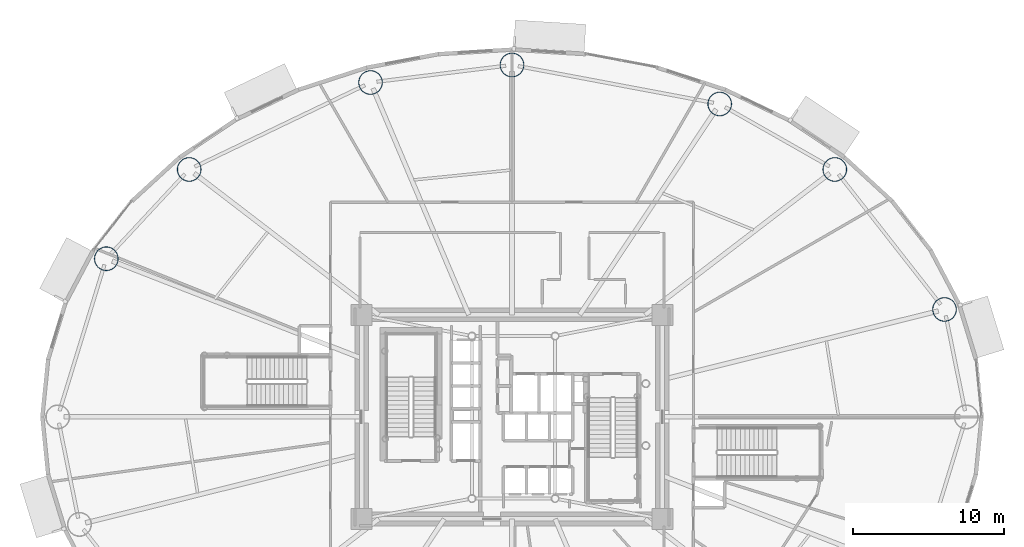
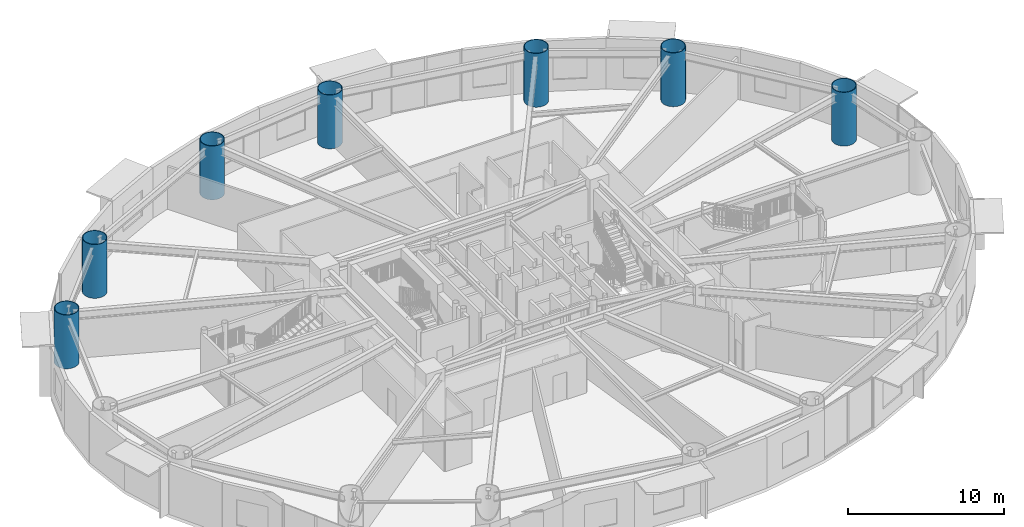
# One storey, part 3 of 29: 7 columns.
"""IFC4 building model written with IfcOpenShell, lengths in metres."""

from ifc_helpers import new_model, si_unit, direction, frame, origin, origin_2d, place, context, subcontext, project, spatial, hollow_circle, extrude, material, material_profile, profile_set, type_object, element, save


model = new_model("IFC4")

# Units and contexts
model_context = context("Model", 3, precision=1e-05, world=origin(), true_north=direction((0.0, 1.0)))
body_context = subcontext(model_context, "Body", "Model", "MODEL_VIEW")
ifc_project = project(units=[si_unit("LENGTHUNIT", "METRE"), si_unit("AREAUNIT", "SQUARE_METRE"), si_unit("VOLUMEUNIT", "CUBIC_METRE"), si_unit("PLANEANGLEUNIT", "RADIAN"), si_unit("MASSUNIT", "GRAM", prefix="KILO")], contexts=[model_context])

# Site, building, storey
site_placement = place(None, origin())
site = spatial("IfcSite", under=ifc_project, at=site_placement, CompositionType="ELEMENT")
building_placement = place(site_placement, origin())
building = spatial("IfcBuilding", under=site, at=building_placement, Name="Linh Dai School and Residence Tower", CompositionType="ELEMENT")
storey_placement = place(building_placement, frame((0.0, 0.0, 45.0)))
storey = spatial("IfcBuildingStorey", under=building, at=storey_placement, Name="L10", CompositionType="ELEMENT", Elevation=45.0)

# Columns
ifc_material = material(Name="Structural Steel S355JR", Category="steel")
ifc_material_profile = material_profile(ifc_material, hollow_circle(Radius=0.800048828125, WallThickness=0.044921875, at=origin_2d()), Name="CHS 1600x45")
ifc_profile_set = profile_set([ifc_material_profile], Name="Structural Steel S355JR")
column_type = type_object("IfcColumnType", Name="COL-MC2", PredefinedType="COLUMN", material=ifc_profile_set)
for number, where, z_axis, x_axis, name in (
    (1, (64.61083984375, 34.108642578125, 0.0), (0.0, 0.0, 1.0), (1.0, 0.0, 0.0), "L10 Perimeter CFT Mega-Column MC02"),
    (2, (57.352783203125, 43.369140625, 0.0), (0.0, 0.0, 1.0), (1.0, 0.0, 0.0), "L10 Perimeter CFT Mega-Column MC03"),
    (3, (49.73828125, 47.69921875, 0.0), (0.0, 0.0, 1.0), (1.0, 0.0, 0.0), "L10 Perimeter CFT Mega-Column MC04"),
    (4, (36.0, 50.280029296875, 0.0), (0.0, 0.0, 1.0), (1.0, 0.0, 0.0), "L10 Perimeter CFT Mega-Column MC05"),
    (5, (26.642333984375, 49.119873046875, 0.0), (0.0, 0.0, 1.0), (1.0, 0.0, 0.0), "L10 Perimeter CFT Mega-Column MC06"),
    (6, (14.647216796875, 43.369140625, 0.0), (0.0, 0.0, 1.0), (1.0, 0.0, 0.0), "L10 Perimeter CFT Mega-Column MC07"),
    (7, (9.16455078125, 37.4638671875, 0.0), (0.0, 0.0, 1.0), (1.0, 0.0, 0.0), "L10 Perimeter CFT Mega-Column MC08"),
):
    element("IfcColumn", number, at=place(storey_placement, frame(where, z_axis=z_axis, x_axis=x_axis)), inside=storey, type_object=column_type, Name=name, PredefinedType="COLUMN", context=body_context, shape_type="SweptSolid", body=[
        extrude(hollow_circle(Radius=0.800048828125, WallThickness=0.044921875, at=origin_2d()), origin(), (0.0, 0.0, 1.0), 4.199951171875),
    ])

save(model, "model.ifc")
